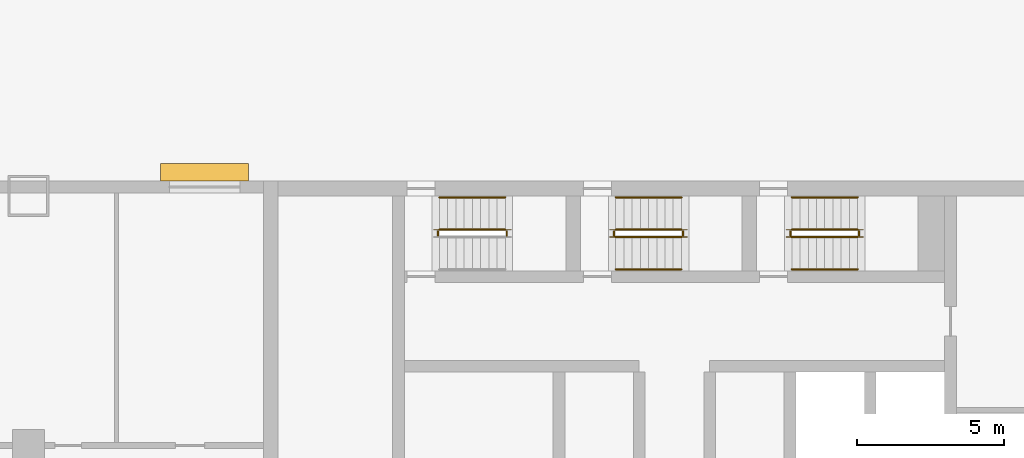
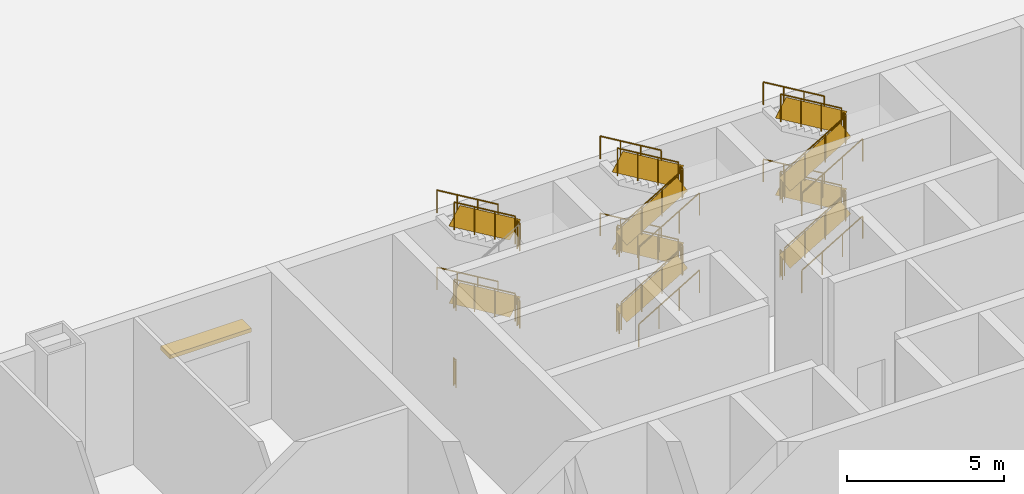
# One storey, part 16 of 18: 32 railings, 1 shading device.
"""IFC4 building model written with IfcOpenShell, lengths in metres."""

from ifc_helpers import new_model, si_unit, direction, frame, origin, origin_2d, place, context, subcontext, project, spatial, rectangle, circle, extrude, material, layer, layer_set, type_object, element, save


model = new_model("IFC4")

# Units and contexts
model_context = context("Model", 3, precision=1e-05, world=origin(), true_north=direction((0.0, 1.0)))
body_context = subcontext(model_context, "Body", "Model", "MODEL_VIEW")
ifc_project = project(units=[si_unit("LENGTHUNIT", "METRE"), si_unit("AREAUNIT", "SQUARE_METRE"), si_unit("VOLUMEUNIT", "CUBIC_METRE"), si_unit("PLANEANGLEUNIT", "RADIAN"), si_unit("MASSUNIT", "GRAM", prefix="KILO")], contexts=[model_context])

# Site, building, storey
site_placement = place(None, origin())
site = spatial("IfcSite", under=ifc_project, at=site_placement, CompositionType="ELEMENT")
building_placement = place(site_placement, origin())
building = spatial("IfcBuilding", under=site, at=building_placement, Name="Vidyagriha Tower", CompositionType="ELEMENT")
storey_placement = place(building_placement, origin())
storey = spatial("IfcBuildingStorey", under=building, at=storey_placement, Name="L00", CompositionType="ELEMENT", Elevation=0.0)

# Shading device
ifc_material_1 = material(Name="Precast concrete C40/50 with brick facing", Category="concrete")
ifc_layer = layer(ifc_material_1, 0.14990234375)
ifc_layer_set = layer_set([ifc_layer], Name="Precast concrete C40/50 with brick facing")
shading_device_type = type_object("IfcShadingDeviceType", Name="Brick chhajja window hood", PredefinedType="AWNING", material=ifc_layer_set)
shading_device_placement = place(storey_placement, frame((-16.0, 20.300048828125, 3.300048828125), z_axis=(0.0, 0.0, 1.0), x_axis=(-1.0, 0.0, 0.0)))
element("IfcShadingDevice", 1, at=shading_device_placement, inside=storey, type_object=shading_device_type, Name="Window hood L00 R04.1", PredefinedType="AWNING", context=body_context, shape_type="SweptSolid", body=[
    extrude(rectangle(XDim=3.0, YDim=0.60009765625, at=origin_2d()), origin(), (0.0, 0.0, 1.0), 0.14990234375),
])

# Railings
ifc_material_2 = material(Name="Steel ASTM A500 Grade C", Category="steel")
railing_type_1 = type_object("IfcRailingType", Name="Stair guard 1100 mm, steel balustrade", PredefinedType="GUARDRAIL", material=ifc_material_2)
railing_1_placement = place(storey_placement, frame((-5.7099609375, 18.14990234375, 1.5)))
element("IfcRailing", 2, at=railing_1_placement, inside=storey, type_object=railing_type_1, Name="L00 ST1 stair guard 2", PredefinedType="GUARDRAIL", context=body_context, shape_type="SweptSolid", body=[
    extrude(circle(Radius=0.02392578125, at=origin_2d()), frame((0.0, 0.0, 1.076171875), z_axis=(0.0, 1.0, 0.0), x_axis=(-1.0, 0.0, 0.0)), (0.0, 0.0, 1.0), 0.150146484375),
    extrude(circle(Radius=0.02099609375, at=origin_2d()), origin(), (0.0, 0.0, 1.0), 1.052001953125),
    extrude(circle(Radius=0.02099609375, at=origin_2d()), frame((0.0, 0.150146484375, 0.0)), (0.0, 0.0, 1.0), 1.052001953125),
    extrude(rectangle(XDim=0.010009765625, YDim=0.902099609375, at=origin_2d()), frame((0.0, 0.0, 0.551025390625), z_axis=(0.0, 1.0, 0.0), x_axis=(-1.0, 0.0, 0.0)), (0.0, 0.0, 1.0), 0.150146484375),
])
railing_2_placement = place(storey_placement, frame((-5.760009765625, 18.35009765625, 1.666748046875)))
element("IfcRailing", 3, at=railing_2_placement, inside=storey, type_object=railing_type_1, Name="L00 ST1 stair guard 3", PredefinedType="GUARDRAIL", context=body_context, shape_type="SweptSolid", body=[
    extrude(circle(Radius=0.02392578125, at=origin_2d()), frame((0.0, 0.0, 1.076171875), z_axis=(-0.859305625298, 0.0, 0.511462454469), x_axis=(0.0, -1.0, 0.0)), (0.0, 0.0, 1.0), 2.606689453125),
    extrude(circle(Radius=0.02099609375, at=origin_2d()), origin(), (0.0, 0.0, 1.0), 1.052001953125),
    extrude(circle(Radius=0.02099609375, at=origin_2d()), frame((-0.74658203125, 0.0, 0.4443359375)), (0.0, 0.0, 1.0), 1.052001953125),
    extrude(circle(Radius=0.02099609375, at=origin_2d()), frame((-1.493408203125, 0.0, 0.888916015625)), (0.0, 0.0, 1.0), 1.052001953125),
    extrude(circle(Radius=0.02099609375, at=origin_2d()), frame((-2.239990234375, 0.0, 1.333251953125)), (0.0, 0.0, 1.0), 1.052001953125),
    extrude(rectangle(XDim=0.010009765625, YDim=0.775146484375, at=origin_2d()), frame((0.0, 0.0, 0.551025390625), z_axis=(-0.859305625298, 0.0, 0.511462454469), x_axis=(0.0, -1.0, 0.0)), (0.0, 0.0, 1.0), 2.606689453125),
])
for number, where, name in (
    (4, (-8.050048828125, 18.14990234375, 3.0), "L00 ST1 stair guard 4"),
    (5, (-5.7099609375, 18.14990234375, 4.5), "L00 ST1 stair guard 6"),
):
    element("IfcRailing", number, at=place(storey_placement, frame(where)), inside=storey, type_object=railing_type_1, Name=name, PredefinedType="GUARDRAIL", context=body_context, shape_type="SweptSolid", body=[
        extrude(circle(Radius=0.02392578125, at=origin_2d()), frame((0.0, 0.0, 1.076171875), z_axis=(0.0, 1.0, 0.0), x_axis=(-1.0, 0.0, 0.0)), (0.0, 0.0, 1.0), 0.150146484375),
        extrude(circle(Radius=0.02099609375, at=origin_2d()), origin(), (0.0, 0.0, 1.0), 1.052001953125),
        extrude(circle(Radius=0.02099609375, at=origin_2d()), frame((0.0, 0.150146484375, 0.0)), (0.0, 0.0, 1.0), 1.052001953125),
        extrude(rectangle(XDim=0.010009765625, YDim=0.902099609375, at=origin_2d()), frame((0.0, 0.0, 0.551025390625), z_axis=(0.0, 1.0, 0.0), x_axis=(-1.0, 0.0, 0.0)), (0.0, 0.0, 1.0), 0.150146484375),
    ])
railing_3_placement = place(storey_placement, frame((-5.760009765625, 18.35009765625, 4.666748046875)))
element("IfcRailing", 6, at=railing_3_placement, inside=storey, type_object=railing_type_1, Name="L00 ST1 stair guard 7", PredefinedType="GUARDRAIL", context=body_context, shape_type="SweptSolid", body=[
    extrude(circle(Radius=0.02392578125, at=origin_2d()), frame((0.0, 0.0, 1.076171875), z_axis=(-0.859305625298, 0.0, 0.511462454469), x_axis=(0.0, -1.0, 0.0)), (0.0, 0.0, 1.0), 2.606689453125),
    extrude(circle(Radius=0.02099609375, at=origin_2d()), origin(), (0.0, 0.0, 1.0), 1.052001953125),
    extrude(circle(Radius=0.02099609375, at=origin_2d()), frame((-0.74658203125, 0.0, 0.4443359375)), (0.0, 0.0, 1.0), 1.052001953125),
    extrude(circle(Radius=0.02099609375, at=origin_2d()), frame((-1.493408203125, 0.0, 0.888916015625)), (0.0, 0.0, 1.0), 1.052001953125),
    extrude(circle(Radius=0.02099609375, at=origin_2d()), frame((-2.239990234375, 0.0, 1.333251953125)), (0.0, 0.0, 1.0), 1.052001953125),
    extrude(rectangle(XDim=0.010009765625, YDim=0.775146484375, at=origin_2d()), frame((0.0, 0.0, 0.551025390625), z_axis=(-0.859305625298, 0.0, 0.511462454469), x_axis=(0.0, -1.0, 0.0)), (0.0, 0.0, 1.0), 2.606689453125),
])
railing_4_placement = place(storey_placement, frame((-8.050048828125, 18.14990234375, 0.0)))
element("IfcRailing", 7, at=railing_4_placement, inside=storey, type_object=railing_type_1, Name="L00 ST1 stair guard 8", PredefinedType="GUARDRAIL", context=body_context, shape_type="SweptSolid", body=[
    extrude(circle(Radius=0.02392578125, at=origin_2d()), frame((0.0, 0.0, 1.076171875), z_axis=(0.0, 1.0, 0.0), x_axis=(-1.0, 0.0, 0.0)), (0.0, 0.0, 1.0), 0.150146484375),
    extrude(circle(Radius=0.02099609375, at=origin_2d()), origin(), (0.0, 0.0, 1.0), 1.052001953125),
    extrude(circle(Radius=0.02099609375, at=origin_2d()), frame((0.0, 0.150146484375, 0.0)), (0.0, 0.0, 1.0), 1.052001953125),
    extrude(rectangle(XDim=0.010009765625, YDim=0.902099609375, at=origin_2d()), frame((0.0, 0.0, 0.551025390625), z_axis=(0.0, 1.0, 0.0), x_axis=(-1.0, 0.0, 0.0)), (0.0, 0.0, 1.0), 0.150146484375),
])
railing_5_placement = place(storey_placement, frame((-2.0, 18.10009765625, 0.166748046875)))
element("IfcRailing", 8, at=railing_5_placement, inside=storey, type_object=railing_type_1, Name="L00 ST2 stair guard 1", PredefinedType="GUARDRAIL", context=body_context, shape_type="SweptSolid", body=[
    extrude(circle(Radius=0.02392578125, at=origin_2d()), frame((0.0, 0.0, 1.076171875), z_axis=(0.859305625298, 0.0, 0.511462454469), x_axis=(0.0, 1.0, 0.0)), (0.0, 0.0, 1.0), 2.606689453125),
    extrude(circle(Radius=0.02099609375, at=origin_2d()), origin(), (0.0, 0.0, 1.0), 1.052001953125),
    extrude(circle(Radius=0.02099609375, at=origin_2d()), frame((0.74658203125, 0.0, 0.4443359375)), (0.0, 0.0, 1.0), 1.052001953125),
    extrude(circle(Radius=0.02099609375, at=origin_2d()), frame((1.493408203125, 0.0, 0.888916015625)), (0.0, 0.0, 1.0), 1.052001953125),
    extrude(circle(Radius=0.02099609375, at=origin_2d()), frame((2.239990234375, 0.0, 1.333251953125)), (0.0, 0.0, 1.0), 1.052001953125),
    extrude(rectangle(XDim=0.010009765625, YDim=0.775146484375, at=origin_2d()), frame((0.0, 0.0, 0.551025390625), z_axis=(0.859305625298, 0.0, 0.511462454469), x_axis=(0.0, 1.0, 0.0)), (0.0, 0.0, 1.0), 2.606689453125),
])
railing_6_placement = place(storey_placement, frame((0.2900390625, 18.14990234375, 1.5)))
element("IfcRailing", 9, at=railing_6_placement, inside=storey, type_object=railing_type_1, Name="L00 ST2 stair guard 2", PredefinedType="GUARDRAIL", context=body_context, shape_type="SweptSolid", body=[
    extrude(circle(Radius=0.02392578125, at=origin_2d()), frame((0.0, 0.0, 1.076171875), z_axis=(0.0, 1.0, 0.0), x_axis=(-1.0, 0.0, 0.0)), (0.0, 0.0, 1.0), 0.150146484375),
    extrude(circle(Radius=0.02099609375, at=origin_2d()), origin(), (0.0, 0.0, 1.0), 1.052001953125),
    extrude(circle(Radius=0.02099609375, at=origin_2d()), frame((0.0, 0.150146484375, 0.0)), (0.0, 0.0, 1.0), 1.052001953125),
    extrude(rectangle(XDim=0.010009765625, YDim=0.902099609375, at=origin_2d()), frame((0.0, 0.0, 0.551025390625), z_axis=(0.0, 1.0, 0.0), x_axis=(-1.0, 0.0, 0.0)), (0.0, 0.0, 1.0), 0.150146484375),
])
railing_7_placement = place(storey_placement, frame((0.239990234375, 18.35009765625, 1.666748046875)))
element("IfcRailing", 10, at=railing_7_placement, inside=storey, type_object=railing_type_1, Name="L00 ST2 stair guard 3", PredefinedType="GUARDRAIL", context=body_context, shape_type="SweptSolid", body=[
    extrude(circle(Radius=0.02392578125, at=origin_2d()), frame((0.0, 0.0, 1.076171875), z_axis=(-0.859305625298, 0.0, 0.511462454469), x_axis=(0.0, -1.0, 0.0)), (0.0, 0.0, 1.0), 2.606689453125),
    extrude(circle(Radius=0.02099609375, at=origin_2d()), origin(), (0.0, 0.0, 1.0), 1.052001953125),
    extrude(circle(Radius=0.02099609375, at=origin_2d()), frame((-0.74658203125, 0.0, 0.4443359375)), (0.0, 0.0, 1.0), 1.052001953125),
    extrude(circle(Radius=0.02099609375, at=origin_2d()), frame((-1.493408203125, 0.0, 0.888916015625)), (0.0, 0.0, 1.0), 1.052001953125),
    extrude(circle(Radius=0.02099609375, at=origin_2d()), frame((-2.239990234375, 0.0, 1.333251953125)), (0.0, 0.0, 1.0), 1.052001953125),
    extrude(rectangle(XDim=0.010009765625, YDim=0.775146484375, at=origin_2d()), frame((0.0, 0.0, 0.551025390625), z_axis=(-0.859305625298, 0.0, 0.511462454469), x_axis=(0.0, -1.0, 0.0)), (0.0, 0.0, 1.0), 2.606689453125),
])
railing_8_placement = place(storey_placement, frame((-2.050048828125, 18.14990234375, 3.0)))
element("IfcRailing", 11, at=railing_8_placement, inside=storey, type_object=railing_type_1, Name="L00 ST2 stair guard 4", PredefinedType="GUARDRAIL", context=body_context, shape_type="SweptSolid", body=[
    extrude(circle(Radius=0.02392578125, at=origin_2d()), frame((0.0, 0.0, 1.076171875), z_axis=(0.0, 1.0, 0.0), x_axis=(-1.0, 0.0, 0.0)), (0.0, 0.0, 1.0), 0.150146484375),
    extrude(circle(Radius=0.02099609375, at=origin_2d()), origin(), (0.0, 0.0, 1.0), 1.052001953125),
    extrude(circle(Radius=0.02099609375, at=origin_2d()), frame((0.0, 0.150146484375, 0.0)), (0.0, 0.0, 1.0), 1.052001953125),
    extrude(rectangle(XDim=0.010009765625, YDim=0.902099609375, at=origin_2d()), frame((0.0, 0.0, 0.551025390625), z_axis=(0.0, 1.0, 0.0), x_axis=(-1.0, 0.0, 0.0)), (0.0, 0.0, 1.0), 0.150146484375),
])
railing_9_placement = place(storey_placement, frame((-2.0, 18.10009765625, 3.166748046875)))
element("IfcRailing", 12, at=railing_9_placement, inside=storey, type_object=railing_type_1, Name="L00 ST2 stair guard 5", PredefinedType="GUARDRAIL", context=body_context, shape_type="SweptSolid", body=[
    extrude(circle(Radius=0.02392578125, at=origin_2d()), frame((0.0, 0.0, 1.076171875), z_axis=(0.859305625298, 0.0, 0.511462454469), x_axis=(0.0, 1.0, 0.0)), (0.0, 0.0, 1.0), 2.606689453125),
    extrude(circle(Radius=0.02099609375, at=origin_2d()), origin(), (0.0, 0.0, 1.0), 1.052001953125),
    extrude(circle(Radius=0.02099609375, at=origin_2d()), frame((0.74658203125, 0.0, 0.4443359375)), (0.0, 0.0, 1.0), 1.052001953125),
    extrude(circle(Radius=0.02099609375, at=origin_2d()), frame((1.493408203125, 0.0, 0.888916015625)), (0.0, 0.0, 1.0), 1.052001953125),
    extrude(circle(Radius=0.02099609375, at=origin_2d()), frame((2.239990234375, 0.0, 1.333251953125)), (0.0, 0.0, 1.0), 1.052001953125),
    extrude(rectangle(XDim=0.010009765625, YDim=0.775146484375, at=origin_2d()), frame((0.0, 0.0, 0.551025390625), z_axis=(0.859305625298, 0.0, 0.511462454469), x_axis=(0.0, 1.0, 0.0)), (0.0, 0.0, 1.0), 2.606689453125),
])
railing_10_placement = place(storey_placement, frame((0.2900390625, 18.14990234375, 4.5)))
element("IfcRailing", 13, at=railing_10_placement, inside=storey, type_object=railing_type_1, Name="L00 ST2 stair guard 6", PredefinedType="GUARDRAIL", context=body_context, shape_type="SweptSolid", body=[
    extrude(circle(Radius=0.02392578125, at=origin_2d()), frame((0.0, 0.0, 1.076171875), z_axis=(0.0, 1.0, 0.0), x_axis=(-1.0, 0.0, 0.0)), (0.0, 0.0, 1.0), 0.150146484375),
    extrude(circle(Radius=0.02099609375, at=origin_2d()), origin(), (0.0, 0.0, 1.0), 1.052001953125),
    extrude(circle(Radius=0.02099609375, at=origin_2d()), frame((0.0, 0.150146484375, 0.0)), (0.0, 0.0, 1.0), 1.052001953125),
    extrude(rectangle(XDim=0.010009765625, YDim=0.902099609375, at=origin_2d()), frame((0.0, 0.0, 0.551025390625), z_axis=(0.0, 1.0, 0.0), x_axis=(-1.0, 0.0, 0.0)), (0.0, 0.0, 1.0), 0.150146484375),
])
railing_11_placement = place(storey_placement, frame((0.239990234375, 18.35009765625, 4.666748046875)))
element("IfcRailing", 14, at=railing_11_placement, inside=storey, type_object=railing_type_1, Name="L00 ST2 stair guard 7", PredefinedType="GUARDRAIL", context=body_context, shape_type="SweptSolid", body=[
    extrude(circle(Radius=0.02392578125, at=origin_2d()), frame((0.0, 0.0, 1.076171875), z_axis=(-0.859305625298, 0.0, 0.511462454469), x_axis=(0.0, -1.0, 0.0)), (0.0, 0.0, 1.0), 2.606689453125),
    extrude(circle(Radius=0.02099609375, at=origin_2d()), origin(), (0.0, 0.0, 1.0), 1.052001953125),
    extrude(circle(Radius=0.02099609375, at=origin_2d()), frame((-0.74658203125, 0.0, 0.4443359375)), (0.0, 0.0, 1.0), 1.052001953125),
    extrude(circle(Radius=0.02099609375, at=origin_2d()), frame((-1.493408203125, 0.0, 0.888916015625)), (0.0, 0.0, 1.0), 1.052001953125),
    extrude(circle(Radius=0.02099609375, at=origin_2d()), frame((-2.239990234375, 0.0, 1.333251953125)), (0.0, 0.0, 1.0), 1.052001953125),
    extrude(rectangle(XDim=0.010009765625, YDim=0.775146484375, at=origin_2d()), frame((0.0, 0.0, 0.551025390625), z_axis=(-0.859305625298, 0.0, 0.511462454469), x_axis=(0.0, -1.0, 0.0)), (0.0, 0.0, 1.0), 2.606689453125),
])
railing_12_placement = place(storey_placement, frame((-2.050048828125, 18.14990234375, 0.0)))
element("IfcRailing", 15, at=railing_12_placement, inside=storey, type_object=railing_type_1, Name="L00 ST2 stair guard 8", PredefinedType="GUARDRAIL", context=body_context, shape_type="SweptSolid", body=[
    extrude(circle(Radius=0.02392578125, at=origin_2d()), frame((0.0, 0.0, 1.076171875), z_axis=(0.0, 1.0, 0.0), x_axis=(-1.0, 0.0, 0.0)), (0.0, 0.0, 1.0), 0.150146484375),
    extrude(circle(Radius=0.02099609375, at=origin_2d()), origin(), (0.0, 0.0, 1.0), 1.052001953125),
    extrude(circle(Radius=0.02099609375, at=origin_2d()), frame((0.0, 0.150146484375, 0.0)), (0.0, 0.0, 1.0), 1.052001953125),
    extrude(rectangle(XDim=0.010009765625, YDim=0.902099609375, at=origin_2d()), frame((0.0, 0.0, 0.551025390625), z_axis=(0.0, 1.0, 0.0), x_axis=(-1.0, 0.0, 0.0)), (0.0, 0.0, 1.0), 0.150146484375),
])
railing_13_placement = place(storey_placement, frame((4.0, 18.10009765625, 0.166748046875)))
element("IfcRailing", 16, at=railing_13_placement, inside=storey, type_object=railing_type_1, Name="L00 ST3 stair guard 1", PredefinedType="GUARDRAIL", context=body_context, shape_type="SweptSolid", body=[
    extrude(circle(Radius=0.02392578125, at=origin_2d()), frame((0.0, 0.0, 1.076171875), z_axis=(0.859305625298, 0.0, 0.511462454469), x_axis=(0.0, 1.0, 0.0)), (0.0, 0.0, 1.0), 2.606689453125),
    extrude(circle(Radius=0.02099609375, at=origin_2d()), origin(), (0.0, 0.0, 1.0), 1.052001953125),
    extrude(circle(Radius=0.02099609375, at=origin_2d()), frame((0.74658203125, 0.0, 0.4443359375)), (0.0, 0.0, 1.0), 1.052001953125),
    extrude(circle(Radius=0.02099609375, at=origin_2d()), frame((1.493408203125, 0.0, 0.888916015625)), (0.0, 0.0, 1.0), 1.052001953125),
    extrude(circle(Radius=0.02099609375, at=origin_2d()), frame((2.239990234375, 0.0, 1.333251953125)), (0.0, 0.0, 1.0), 1.052001953125),
    extrude(rectangle(XDim=0.010009765625, YDim=0.775146484375, at=origin_2d()), frame((0.0, 0.0, 0.551025390625), z_axis=(0.859305625298, 0.0, 0.511462454469), x_axis=(0.0, 1.0, 0.0)), (0.0, 0.0, 1.0), 2.606689453125),
])
railing_14_placement = place(storey_placement, frame((6.2900390625, 18.14990234375, 1.5)))
element("IfcRailing", 17, at=railing_14_placement, inside=storey, type_object=railing_type_1, Name="L00 ST3 stair guard 2", PredefinedType="GUARDRAIL", context=body_context, shape_type="SweptSolid", body=[
    extrude(circle(Radius=0.02392578125, at=origin_2d()), frame((0.0, 0.0, 1.076171875), z_axis=(0.0, 1.0, 0.0), x_axis=(-1.0, 0.0, 0.0)), (0.0, 0.0, 1.0), 0.150146484375),
    extrude(circle(Radius=0.02099609375, at=origin_2d()), origin(), (0.0, 0.0, 1.0), 1.052001953125),
    extrude(circle(Radius=0.02099609375, at=origin_2d()), frame((0.0, 0.150146484375, 0.0)), (0.0, 0.0, 1.0), 1.052001953125),
    extrude(rectangle(XDim=0.010009765625, YDim=0.902099609375, at=origin_2d()), frame((0.0, 0.0, 0.551025390625), z_axis=(0.0, 1.0, 0.0), x_axis=(-1.0, 0.0, 0.0)), (0.0, 0.0, 1.0), 0.150146484375),
])
railing_15_placement = place(storey_placement, frame((6.239990234375, 18.35009765625, 1.666748046875)))
element("IfcRailing", 18, at=railing_15_placement, inside=storey, type_object=railing_type_1, Name="L00 ST3 stair guard 3", PredefinedType="GUARDRAIL", context=body_context, shape_type="SweptSolid", body=[
    extrude(circle(Radius=0.02392578125, at=origin_2d()), frame((0.0, 0.0, 1.076171875), z_axis=(-0.859305625298, 0.0, 0.511462454469), x_axis=(0.0, -1.0, 0.0)), (0.0, 0.0, 1.0), 2.606689453125),
    extrude(circle(Radius=0.02099609375, at=origin_2d()), origin(), (0.0, 0.0, 1.0), 1.052001953125),
    extrude(circle(Radius=0.02099609375, at=origin_2d()), frame((-0.74658203125, 0.0, 0.4443359375)), (0.0, 0.0, 1.0), 1.052001953125),
    extrude(circle(Radius=0.02099609375, at=origin_2d()), frame((-1.493408203125, 0.0, 0.888916015625)), (0.0, 0.0, 1.0), 1.052001953125),
    extrude(circle(Radius=0.02099609375, at=origin_2d()), frame((-2.239990234375, 0.0, 1.333251953125)), (0.0, 0.0, 1.0), 1.052001953125),
    extrude(rectangle(XDim=0.010009765625, YDim=0.775146484375, at=origin_2d()), frame((0.0, 0.0, 0.551025390625), z_axis=(-0.859305625298, 0.0, 0.511462454469), x_axis=(0.0, -1.0, 0.0)), (0.0, 0.0, 1.0), 2.606689453125),
])
railing_16_placement = place(storey_placement, frame((3.949951171875, 18.14990234375, 3.0)))
element("IfcRailing", 19, at=railing_16_placement, inside=storey, type_object=railing_type_1, Name="L00 ST3 stair guard 4", PredefinedType="GUARDRAIL", context=body_context, shape_type="SweptSolid", body=[
    extrude(circle(Radius=0.02392578125, at=origin_2d()), frame((0.0, 0.0, 1.076171875), z_axis=(0.0, 1.0, 0.0), x_axis=(-1.0, 0.0, 0.0)), (0.0, 0.0, 1.0), 0.150146484375),
    extrude(circle(Radius=0.02099609375, at=origin_2d()), origin(), (0.0, 0.0, 1.0), 1.052001953125),
    extrude(circle(Radius=0.02099609375, at=origin_2d()), frame((0.0, 0.150146484375, 0.0)), (0.0, 0.0, 1.0), 1.052001953125),
    extrude(rectangle(XDim=0.010009765625, YDim=0.902099609375, at=origin_2d()), frame((0.0, 0.0, 0.551025390625), z_axis=(0.0, 1.0, 0.0), x_axis=(-1.0, 0.0, 0.0)), (0.0, 0.0, 1.0), 0.150146484375),
])
railing_17_placement = place(storey_placement, frame((4.0, 18.10009765625, 3.166748046875)))
element("IfcRailing", 20, at=railing_17_placement, inside=storey, type_object=railing_type_1, Name="L00 ST3 stair guard 5", PredefinedType="GUARDRAIL", context=body_context, shape_type="SweptSolid", body=[
    extrude(circle(Radius=0.02392578125, at=origin_2d()), frame((0.0, 0.0, 1.076171875), z_axis=(0.859305625298, 0.0, 0.511462454469), x_axis=(0.0, 1.0, 0.0)), (0.0, 0.0, 1.0), 2.606689453125),
    extrude(circle(Radius=0.02099609375, at=origin_2d()), origin(), (0.0, 0.0, 1.0), 1.052001953125),
    extrude(circle(Radius=0.02099609375, at=origin_2d()), frame((0.74658203125, 0.0, 0.4443359375)), (0.0, 0.0, 1.0), 1.052001953125),
    extrude(circle(Radius=0.02099609375, at=origin_2d()), frame((1.493408203125, 0.0, 0.888916015625)), (0.0, 0.0, 1.0), 1.052001953125),
    extrude(circle(Radius=0.02099609375, at=origin_2d()), frame((2.239990234375, 0.0, 1.333251953125)), (0.0, 0.0, 1.0), 1.052001953125),
    extrude(rectangle(XDim=0.010009765625, YDim=0.775146484375, at=origin_2d()), frame((0.0, 0.0, 0.551025390625), z_axis=(0.859305625298, 0.0, 0.511462454469), x_axis=(0.0, 1.0, 0.0)), (0.0, 0.0, 1.0), 2.606689453125),
])
railing_18_placement = place(storey_placement, frame((6.2900390625, 18.14990234375, 4.5)))
element("IfcRailing", 21, at=railing_18_placement, inside=storey, type_object=railing_type_1, Name="L00 ST3 stair guard 6", PredefinedType="GUARDRAIL", context=body_context, shape_type="SweptSolid", body=[
    extrude(circle(Radius=0.02392578125, at=origin_2d()), frame((0.0, 0.0, 1.076171875), z_axis=(0.0, 1.0, 0.0), x_axis=(-1.0, 0.0, 0.0)), (0.0, 0.0, 1.0), 0.150146484375),
    extrude(circle(Radius=0.02099609375, at=origin_2d()), origin(), (0.0, 0.0, 1.0), 1.052001953125),
    extrude(circle(Radius=0.02099609375, at=origin_2d()), frame((0.0, 0.150146484375, 0.0)), (0.0, 0.0, 1.0), 1.052001953125),
    extrude(rectangle(XDim=0.010009765625, YDim=0.902099609375, at=origin_2d()), frame((0.0, 0.0, 0.551025390625), z_axis=(0.0, 1.0, 0.0), x_axis=(-1.0, 0.0, 0.0)), (0.0, 0.0, 1.0), 0.150146484375),
])
railing_19_placement = place(storey_placement, frame((6.239990234375, 18.35009765625, 4.666748046875)))
element("IfcRailing", 22, at=railing_19_placement, inside=storey, type_object=railing_type_1, Name="L00 ST3 stair guard 7", PredefinedType="GUARDRAIL", context=body_context, shape_type="SweptSolid", body=[
    extrude(circle(Radius=0.02392578125, at=origin_2d()), frame((0.0, 0.0, 1.076171875), z_axis=(-0.859305625298, 0.0, 0.511462454469), x_axis=(0.0, -1.0, 0.0)), (0.0, 0.0, 1.0), 2.606689453125),
    extrude(circle(Radius=0.02099609375, at=origin_2d()), origin(), (0.0, 0.0, 1.0), 1.052001953125),
    extrude(circle(Radius=0.02099609375, at=origin_2d()), frame((-0.74658203125, 0.0, 0.4443359375)), (0.0, 0.0, 1.0), 1.052001953125),
    extrude(circle(Radius=0.02099609375, at=origin_2d()), frame((-1.493408203125, 0.0, 0.888916015625)), (0.0, 0.0, 1.0), 1.052001953125),
    extrude(circle(Radius=0.02099609375, at=origin_2d()), frame((-2.239990234375, 0.0, 1.333251953125)), (0.0, 0.0, 1.0), 1.052001953125),
    extrude(rectangle(XDim=0.010009765625, YDim=0.775146484375, at=origin_2d()), frame((0.0, 0.0, 0.551025390625), z_axis=(-0.859305625298, 0.0, 0.511462454469), x_axis=(0.0, -1.0, 0.0)), (0.0, 0.0, 1.0), 2.606689453125),
])
railing_20_placement = place(storey_placement, frame((3.949951171875, 18.14990234375, 0.0)))
element("IfcRailing", 23, at=railing_20_placement, inside=storey, type_object=railing_type_1, Name="L00 ST3 stair guard 8", PredefinedType="GUARDRAIL", context=body_context, shape_type="SweptSolid", body=[
    extrude(circle(Radius=0.02392578125, at=origin_2d()), frame((0.0, 0.0, 1.076171875), z_axis=(0.0, 1.0, 0.0), x_axis=(-1.0, 0.0, 0.0)), (0.0, 0.0, 1.0), 0.150146484375),
    extrude(circle(Radius=0.02099609375, at=origin_2d()), origin(), (0.0, 0.0, 1.0), 1.052001953125),
    extrude(circle(Radius=0.02099609375, at=origin_2d()), frame((0.0, 0.150146484375, 0.0)), (0.0, 0.0, 1.0), 1.052001953125),
    extrude(rectangle(XDim=0.010009765625, YDim=0.902099609375, at=origin_2d()), frame((0.0, 0.0, 0.551025390625), z_axis=(0.0, 1.0, 0.0), x_axis=(-1.0, 0.0, 0.0)), (0.0, 0.0, 1.0), 0.150146484375),
])
ifc_material_3 = material(Name="Steel ASTM A500 Grade C", Category="steel")
railing_type_2 = type_object("IfcRailingType", Name="Stair handrail 900 mm, steel", PredefinedType="HANDRAIL", material=ifc_material_3)
for number, where, name in (
    (24, (-5.760009765625, 19.449951171875, 1.666748046875), "L00 ST1 stair handrail 2"),
    (25, (-5.760009765625, 19.449951171875, 4.666748046875), "L00 ST1 stair handrail 4"),
):
    element("IfcRailing", number, at=place(storey_placement, frame(where)), inside=storey, type_object=railing_type_2, Name=name, PredefinedType="HANDRAIL", context=body_context, shape_type="SweptSolid", body=[
        extrude(circle(Radius=0.02392578125, at=origin_2d()), frame((0.0, 0.0, 0.8759765625), z_axis=(-0.859305625298, 0.0, 0.511462454469), x_axis=(0.0, -1.0, 0.0)), (0.0, 0.0, 1.0), 2.606689453125),
        extrude(circle(Radius=0.02099609375, at=origin_2d()), origin(), (0.0, 0.0, 1.0), 0.851806640625),
        extrude(circle(Radius=0.02099609375, at=origin_2d()), frame((-0.74658203125, 0.0, 0.4443359375)), (0.0, 0.0, 1.0), 0.851806640625),
        extrude(circle(Radius=0.02099609375, at=origin_2d()), frame((-1.493408203125, 0.0, 0.888916015625)), (0.0, 0.0, 1.0), 0.851806640625),
        extrude(circle(Radius=0.02099609375, at=origin_2d()), frame((-2.239990234375, 0.0, 1.333251953125)), (0.0, 0.0, 1.0), 0.851806640625),
    ])
railing_21_placement = place(storey_placement, frame((-2.0, 17.0, 0.166748046875)))
element("IfcRailing", 26, at=railing_21_placement, inside=storey, type_object=railing_type_2, Name="L00 ST2 stair handrail 1", PredefinedType="HANDRAIL", context=body_context, shape_type="SweptSolid", body=[
    extrude(circle(Radius=0.02392578125, at=origin_2d()), frame((0.0, 0.0, 0.8759765625), z_axis=(0.859305625298, 0.0, 0.511462454469), x_axis=(0.0, 1.0, 0.0)), (0.0, 0.0, 1.0), 2.606689453125),
    extrude(circle(Radius=0.02099609375, at=origin_2d()), origin(), (0.0, 0.0, 1.0), 0.851806640625),
    extrude(circle(Radius=0.02099609375, at=origin_2d()), frame((0.74658203125, 0.0, 0.4443359375)), (0.0, 0.0, 1.0), 0.851806640625),
    extrude(circle(Radius=0.02099609375, at=origin_2d()), frame((1.493408203125, 0.0, 0.888916015625)), (0.0, 0.0, 1.0), 0.851806640625),
    extrude(circle(Radius=0.02099609375, at=origin_2d()), frame((2.239990234375, 0.0, 1.333251953125)), (0.0, 0.0, 1.0), 0.851806640625),
])
railing_22_placement = place(storey_placement, frame((0.239990234375, 19.449951171875, 1.666748046875)))
element("IfcRailing", 27, at=railing_22_placement, inside=storey, type_object=railing_type_2, Name="L00 ST2 stair handrail 2", PredefinedType="HANDRAIL", context=body_context, shape_type="SweptSolid", body=[
    extrude(circle(Radius=0.02392578125, at=origin_2d()), frame((0.0, 0.0, 0.8759765625), z_axis=(-0.859305625298, 0.0, 0.511462454469), x_axis=(0.0, -1.0, 0.0)), (0.0, 0.0, 1.0), 2.606689453125),
    extrude(circle(Radius=0.02099609375, at=origin_2d()), origin(), (0.0, 0.0, 1.0), 0.851806640625),
    extrude(circle(Radius=0.02099609375, at=origin_2d()), frame((-0.74658203125, 0.0, 0.4443359375)), (0.0, 0.0, 1.0), 0.851806640625),
    extrude(circle(Radius=0.02099609375, at=origin_2d()), frame((-1.493408203125, 0.0, 0.888916015625)), (0.0, 0.0, 1.0), 0.851806640625),
    extrude(circle(Radius=0.02099609375, at=origin_2d()), frame((-2.239990234375, 0.0, 1.333251953125)), (0.0, 0.0, 1.0), 0.851806640625),
])
railing_23_placement = place(storey_placement, frame((-2.0, 17.0, 3.166748046875)))
element("IfcRailing", 28, at=railing_23_placement, inside=storey, type_object=railing_type_2, Name="L00 ST2 stair handrail 3", PredefinedType="HANDRAIL", context=body_context, shape_type="SweptSolid", body=[
    extrude(circle(Radius=0.02392578125, at=origin_2d()), frame((0.0, 0.0, 0.8759765625), z_axis=(0.859305625298, 0.0, 0.511462454469), x_axis=(0.0, 1.0, 0.0)), (0.0, 0.0, 1.0), 2.606689453125),
    extrude(circle(Radius=0.02099609375, at=origin_2d()), origin(), (0.0, 0.0, 1.0), 0.851806640625),
    extrude(circle(Radius=0.02099609375, at=origin_2d()), frame((0.74658203125, 0.0, 0.4443359375)), (0.0, 0.0, 1.0), 0.851806640625),
    extrude(circle(Radius=0.02099609375, at=origin_2d()), frame((1.493408203125, 0.0, 0.888916015625)), (0.0, 0.0, 1.0), 0.851806640625),
    extrude(circle(Radius=0.02099609375, at=origin_2d()), frame((2.239990234375, 0.0, 1.333251953125)), (0.0, 0.0, 1.0), 0.851806640625),
])
railing_24_placement = place(storey_placement, frame((0.239990234375, 19.449951171875, 4.666748046875)))
element("IfcRailing", 29, at=railing_24_placement, inside=storey, type_object=railing_type_2, Name="L00 ST2 stair handrail 4", PredefinedType="HANDRAIL", context=body_context, shape_type="SweptSolid", body=[
    extrude(circle(Radius=0.02392578125, at=origin_2d()), frame((0.0, 0.0, 0.8759765625), z_axis=(-0.859305625298, 0.0, 0.511462454469), x_axis=(0.0, -1.0, 0.0)), (0.0, 0.0, 1.0), 2.606689453125),
    extrude(circle(Radius=0.02099609375, at=origin_2d()), origin(), (0.0, 0.0, 1.0), 0.851806640625),
    extrude(circle(Radius=0.02099609375, at=origin_2d()), frame((-0.74658203125, 0.0, 0.4443359375)), (0.0, 0.0, 1.0), 0.851806640625),
    extrude(circle(Radius=0.02099609375, at=origin_2d()), frame((-1.493408203125, 0.0, 0.888916015625)), (0.0, 0.0, 1.0), 0.851806640625),
    extrude(circle(Radius=0.02099609375, at=origin_2d()), frame((-2.239990234375, 0.0, 1.333251953125)), (0.0, 0.0, 1.0), 0.851806640625),
])
railing_25_placement = place(storey_placement, frame((4.0, 17.0, 0.166748046875)))
element("IfcRailing", 30, at=railing_25_placement, inside=storey, type_object=railing_type_2, Name="L00 ST3 stair handrail 1", PredefinedType="HANDRAIL", context=body_context, shape_type="SweptSolid", body=[
    extrude(circle(Radius=0.02392578125, at=origin_2d()), frame((0.0, 0.0, 0.8759765625), z_axis=(0.859305625298, 0.0, 0.511462454469), x_axis=(0.0, 1.0, 0.0)), (0.0, 0.0, 1.0), 2.606689453125),
    extrude(circle(Radius=0.02099609375, at=origin_2d()), origin(), (0.0, 0.0, 1.0), 0.851806640625),
    extrude(circle(Radius=0.02099609375, at=origin_2d()), frame((0.74658203125, 0.0, 0.4443359375)), (0.0, 0.0, 1.0), 0.851806640625),
    extrude(circle(Radius=0.02099609375, at=origin_2d()), frame((1.493408203125, 0.0, 0.888916015625)), (0.0, 0.0, 1.0), 0.851806640625),
    extrude(circle(Radius=0.02099609375, at=origin_2d()), frame((2.239990234375, 0.0, 1.333251953125)), (0.0, 0.0, 1.0), 0.851806640625),
])
railing_26_placement = place(storey_placement, frame((6.239990234375, 19.449951171875, 1.666748046875)))
element("IfcRailing", 31, at=railing_26_placement, inside=storey, type_object=railing_type_2, Name="L00 ST3 stair handrail 2", PredefinedType="HANDRAIL", context=body_context, shape_type="SweptSolid", body=[
    extrude(circle(Radius=0.02392578125, at=origin_2d()), frame((0.0, 0.0, 0.8759765625), z_axis=(-0.859305625298, 0.0, 0.511462454469), x_axis=(0.0, -1.0, 0.0)), (0.0, 0.0, 1.0), 2.606689453125),
    extrude(circle(Radius=0.02099609375, at=origin_2d()), origin(), (0.0, 0.0, 1.0), 0.851806640625),
    extrude(circle(Radius=0.02099609375, at=origin_2d()), frame((-0.74658203125, 0.0, 0.4443359375)), (0.0, 0.0, 1.0), 0.851806640625),
    extrude(circle(Radius=0.02099609375, at=origin_2d()), frame((-1.493408203125, 0.0, 0.888916015625)), (0.0, 0.0, 1.0), 0.851806640625),
    extrude(circle(Radius=0.02099609375, at=origin_2d()), frame((-2.239990234375, 0.0, 1.333251953125)), (0.0, 0.0, 1.0), 0.851806640625),
])
railing_27_placement = place(storey_placement, frame((4.0, 17.0, 3.166748046875)))
element("IfcRailing", 32, at=railing_27_placement, inside=storey, type_object=railing_type_2, Name="L00 ST3 stair handrail 3", PredefinedType="HANDRAIL", context=body_context, shape_type="SweptSolid", body=[
    extrude(circle(Radius=0.02392578125, at=origin_2d()), frame((0.0, 0.0, 0.8759765625), z_axis=(0.859305625298, 0.0, 0.511462454469), x_axis=(0.0, 1.0, 0.0)), (0.0, 0.0, 1.0), 2.606689453125),
    extrude(circle(Radius=0.02099609375, at=origin_2d()), origin(), (0.0, 0.0, 1.0), 0.851806640625),
    extrude(circle(Radius=0.02099609375, at=origin_2d()), frame((0.74658203125, 0.0, 0.4443359375)), (0.0, 0.0, 1.0), 0.851806640625),
    extrude(circle(Radius=0.02099609375, at=origin_2d()), frame((1.493408203125, 0.0, 0.888916015625)), (0.0, 0.0, 1.0), 0.851806640625),
    extrude(circle(Radius=0.02099609375, at=origin_2d()), frame((2.239990234375, 0.0, 1.333251953125)), (0.0, 0.0, 1.0), 0.851806640625),
])
railing_28_placement = place(storey_placement, frame((6.239990234375, 19.449951171875, 4.666748046875)))
element("IfcRailing", 33, at=railing_28_placement, inside=storey, type_object=railing_type_2, Name="L00 ST3 stair handrail 4", PredefinedType="HANDRAIL", context=body_context, shape_type="SweptSolid", body=[
    extrude(circle(Radius=0.02392578125, at=origin_2d()), frame((0.0, 0.0, 0.8759765625), z_axis=(-0.859305625298, 0.0, 0.511462454469), x_axis=(0.0, -1.0, 0.0)), (0.0, 0.0, 1.0), 2.606689453125),
    extrude(circle(Radius=0.02099609375, at=origin_2d()), origin(), (0.0, 0.0, 1.0), 0.851806640625),
    extrude(circle(Radius=0.02099609375, at=origin_2d()), frame((-0.74658203125, 0.0, 0.4443359375)), (0.0, 0.0, 1.0), 0.851806640625),
    extrude(circle(Radius=0.02099609375, at=origin_2d()), frame((-1.493408203125, 0.0, 0.888916015625)), (0.0, 0.0, 1.0), 0.851806640625),
    extrude(circle(Radius=0.02099609375, at=origin_2d()), frame((-2.239990234375, 0.0, 1.333251953125)), (0.0, 0.0, 1.0), 0.851806640625),
])

save(model, "model.ifc")
